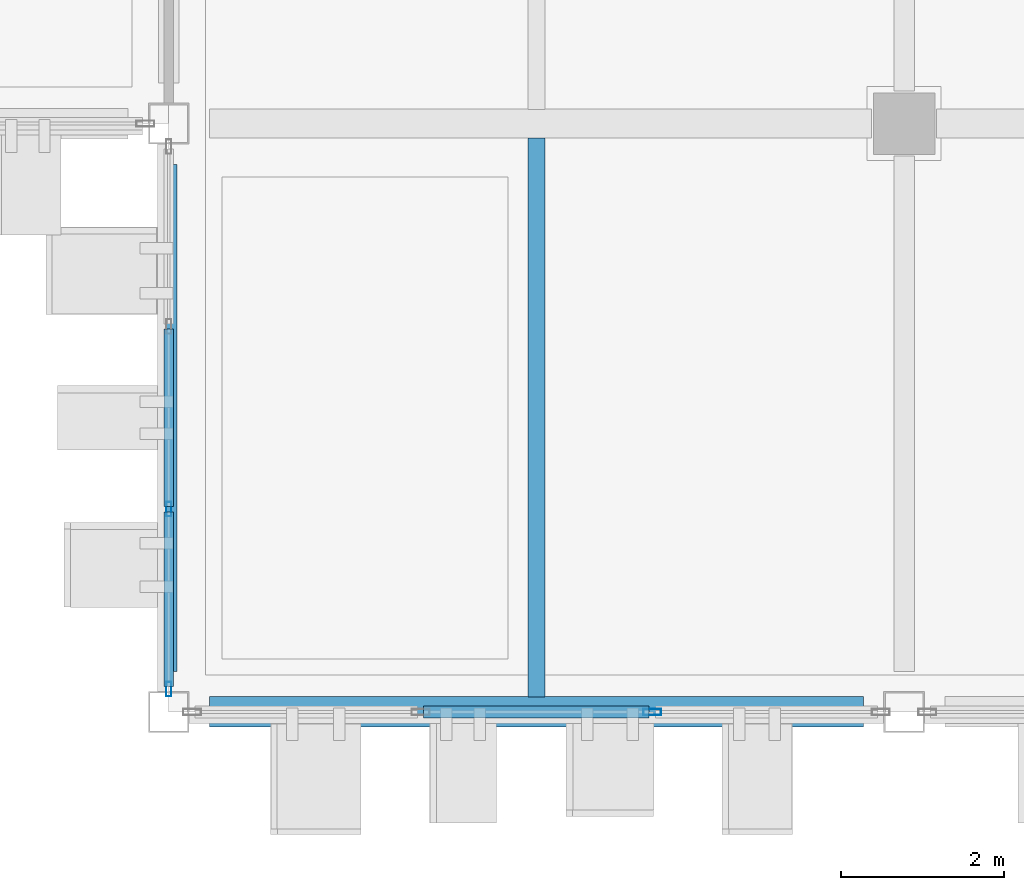
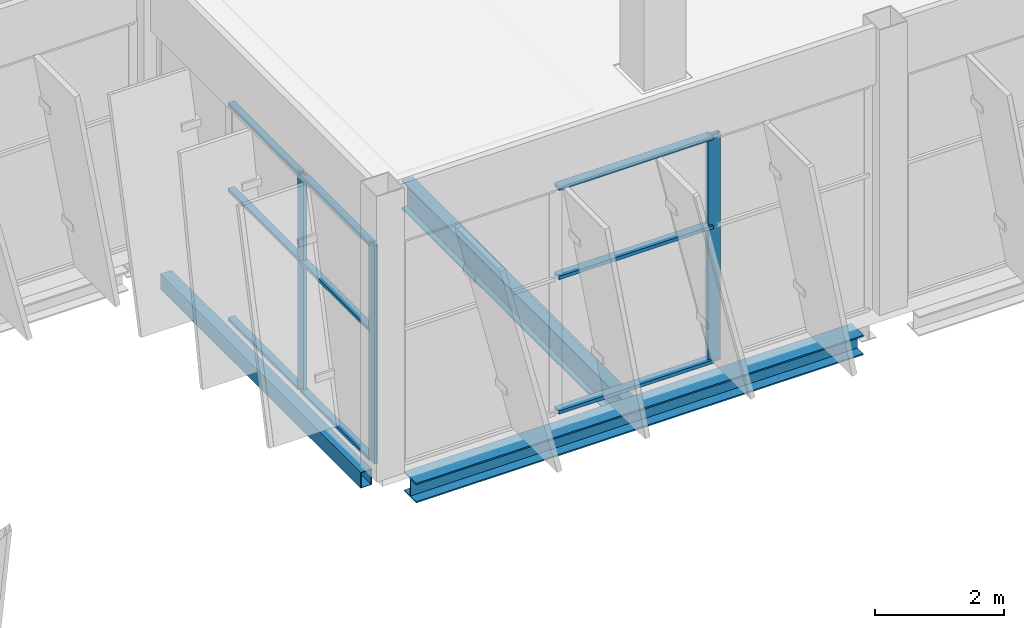
# One storey, part 62 of 137: 12 members, 3 beams, 2 elements without a shape of their own.
"""IFC4 building model written with IfcOpenShell, lengths in metres."""

from ifc_helpers import new_model, si_unit, direction, frame, origin, origin_2d, place, context, subcontext, project, spatial, hollow_rectangle, i_section, extrude, material, layer, layer_set, material_profile, profile_set, type_object, element, aggregate, save


model = new_model("IFC4")

# Units and contexts
model_context = context("Model", 3, precision=1e-05, world=origin(), true_north=direction((0.0, 1.0)))
body_context = subcontext(model_context, "Body", "Model", "MODEL_VIEW")
ifc_project = project(units=[si_unit("LENGTHUNIT", "METRE"), si_unit("AREAUNIT", "SQUARE_METRE"), si_unit("VOLUMEUNIT", "CUBIC_METRE"), si_unit("PLANEANGLEUNIT", "RADIAN"), si_unit("MASSUNIT", "GRAM", prefix="KILO")], contexts=[model_context])

# Site, building, storey
site_placement = place(None, origin())
site = spatial("IfcSite", under=ifc_project, at=site_placement, CompositionType="ELEMENT")
building_placement = place(site_placement, origin())
building = spatial("IfcBuilding", under=site, at=building_placement, Name="Celestram Park Convention Centre", CompositionType="ELEMENT")
storey_placement = place(building_placement, origin())
storey = spatial("IfcBuildingStorey", under=building, at=storey_placement, Name="L00", CompositionType="ELEMENT", Elevation=0.0)

# Curtain wall, members
ifc_material_1 = material(Name="Anodised Aluminium Alloy 6063-T6", Category="aluminium")
ifc_layer_1 = layer(ifc_material_1, 0.179931640625)
ifc_layer_set_1 = layer_set([ifc_layer_1], Name="Anodised Aluminium Alloy 6063-T6")
curtain_wall_type_1 = type_object("IfcCurtainWallType", Name="ARC-CW-670X412", PredefinedType="NOTDEFINED", material=ifc_layer_set_1)
curtain_wall_1_placement = place(storey_placement, origin())
curtain_wall_1 = element("IfcCurtainWall", 1, at=curtain_wall_1_placement, inside=storey, type_object=curtain_wall_type_1, Name="Unitised curtain wall CU-L00-004", PredefinedType="NOTDEFINED")
ifc_material_profile_1 = material_profile(ifc_material_1, hollow_rectangle(XDim=0.06494140625, YDim=0.179931640625, WallThickness=0.00390625, at=origin_2d()), Name="ALU65X180X4")
ifc_profile_set_1 = profile_set([ifc_material_profile_1], Name="Anodised Aluminium Alloy 6063-T6")
member_type_1 = type_object("IfcMemberType", Name="ARC-CWM-150", PredefinedType="MULLION", material=ifc_profile_set_1)
member_1_placement = place(storey_placement, frame((153.0, 115.48046875, 0.0), z_axis=(0.0, 0.0, 1.0), x_axis=(-1.0, 0.0, 0.0)))
member_1 = element("IfcMember", 2, at=member_1_placement, type_object=member_type_1, Name="CW-67X41 mullion 1", PredefinedType="MULLION", context=body_context, shape_type="SweptSolid", body=[
    extrude(hollow_rectangle(XDim=0.06494140625, YDim=0.179931640625, WallThickness=0.00390625, at=origin_2d()), origin(), (0.0, 0.0, 1.0), 4.1240234375),
])
member_2_placement = place(storey_placement, frame((153.0, 117.6826171875, 0.0), z_axis=(0.0, 0.0, 1.0), x_axis=(-1.0, 0.0, 0.0)))
member_2 = element("IfcMember", 3, at=member_2_placement, type_object=member_type_1, Name="CW-67X41 mullion 2", PredefinedType="MULLION", context=body_context, shape_type="SweptSolid", body=[
    extrude(hollow_rectangle(XDim=0.06494140625, YDim=0.179931640625, WallThickness=0.00390625, at=origin_2d()), origin(), (0.0, 0.0, 1.0), 4.1240234375),
])

# Curtain wall, member
ifc_layer_2 = layer(ifc_material_1, 0.179931640625)
ifc_layer_set_2 = layer_set([ifc_layer_2], Name="Anodised Aluminium Alloy 6063-T6")
curtain_wall_type_2 = type_object("IfcCurtainWallType", Name="ARC-CW-850X430", PredefinedType="NOTDEFINED", material=ifc_layer_set_2)
curtain_wall_2_placement = place(storey_placement, origin())
curtain_wall_2 = element("IfcCurtainWall", 4, at=curtain_wall_2_placement, inside=storey, type_object=curtain_wall_type_2, Name="Unitised curtain wall CU-L00-003", PredefinedType="NOTDEFINED")
ifc_material_profile_2 = material_profile(ifc_material_1, hollow_rectangle(XDim=0.074951171875, YDim=0.219970703125, WallThickness=0.00390625, at=origin_2d()), Name="ALU75X220X4")
ifc_profile_set_2 = profile_set([ifc_material_profile_2], Name="Anodised Aluminium Alloy 6063-T6")
member_type_2 = type_object("IfcMemberType", Name="ARC-CWM-180", PredefinedType="MULLION", material=ifc_profile_set_2)
member_3_placement = place(storey_placement, frame((158.917236328125, 115.199951171875, 0.0), z_axis=(0.0, 0.0, 1.0), x_axis=(0.0, -1.0, 0.0)))
member_3 = element("IfcMember", 5, at=member_3_placement, type_object=member_type_2, Name="CW-85X43 mullion 2", PredefinedType="MULLION", context=body_context, shape_type="SweptSolid", body=[
    extrude(hollow_rectangle(XDim=0.074951171875, YDim=0.219970703125, WallThickness=0.00390625, at=origin_2d()), origin(), (0.0, 0.0, 1.0), 4.297119140625),
])

# Member
ifc_material_profile_3 = material_profile(ifc_material_1, hollow_rectangle(XDim=0.1201171875, YDim=0.06005859375, WallThickness=0.0029296875, at=origin_2d()), Name="ALU120X60X3")
ifc_profile_set_3 = profile_set([ifc_material_profile_3], Name="Anodised Aluminium Alloy 6063-T6")
member_type_3 = type_object("IfcMemberType", Name="ARC-CWT-120", PredefinedType="USERDEFINED", material=ifc_profile_set_3)
member_4_placement = place(storey_placement, frame((153.0, 115.512939453125, 0.030029296875), z_axis=(0.0, 1.0, 0.0), x_axis=(-1.0, 0.0, 0.0)))
member_4 = element("IfcMember", 6, at=member_4_placement, type_object=member_type_3, Name="CW-67X41 transom 1.1", ObjectType="TRANSOM", PredefinedType="USERDEFINED", context=body_context, shape_type="SweptSolid", body=[
    extrude(hollow_rectangle(XDim=0.1201171875, YDim=0.06005859375, WallThickness=0.0029296875, at=origin_2d()), origin(), (0.0, 0.0, 1.0), 2.13720703125),
])

member_5_placement = place(storey_placement, frame((153.0, 115.512939453125, 2.47412109375), z_axis=(0.0, 1.0, 0.0), x_axis=(-1.0, 0.0, 0.0)))
member_5 = element("IfcMember", 7, at=member_5_placement, type_object=member_type_3, Name="CW-67X41 transom 1.2", ObjectType="TRANSOM", PredefinedType="USERDEFINED", context=body_context, shape_type="SweptSolid", body=[
    extrude(hollow_rectangle(XDim=0.1201171875, YDim=0.06005859375, WallThickness=0.0029296875, at=origin_2d()), origin(), (0.0, 0.0, 1.0), 2.13720703125),
])

member_6_placement = place(storey_placement, frame((153.0, 115.512939453125, 4.093994140625), z_axis=(0.0, 1.0, 0.0), x_axis=(-1.0, 0.0, 0.0)))
member_6 = element("IfcMember", 8, at=member_6_placement, type_object=member_type_3, Name="CW-67X41 transom 1.3", ObjectType="TRANSOM", PredefinedType="USERDEFINED", context=body_context, shape_type="SweptSolid", body=[
    extrude(hollow_rectangle(XDim=0.1201171875, YDim=0.06005859375, WallThickness=0.0029296875, at=origin_2d()), origin(), (0.0, 0.0, 1.0), 2.13720703125),
])

member_7_placement = place(storey_placement, frame((153.0, 117.715087890625, 0.030029296875), z_axis=(0.0, 1.0, 0.0), x_axis=(-1.0, 0.0, 0.0)))
member_7 = element("IfcMember", 9, at=member_7_placement, type_object=member_type_3, Name="CW-67X41 transom 2.1", ObjectType="TRANSOM", PredefinedType="USERDEFINED", context=body_context, shape_type="SweptSolid", body=[
    extrude(hollow_rectangle(XDim=0.1201171875, YDim=0.06005859375, WallThickness=0.0029296875, at=origin_2d()), origin(), (0.0, 0.0, 1.0), 2.169677734375),
])

member_8_placement = place(storey_placement, frame((153.0, 117.715087890625, 2.47412109375), z_axis=(0.0, 1.0, 0.0), x_axis=(-1.0, 0.0, 0.0)))
member_8 = element("IfcMember", 10, at=member_8_placement, type_object=member_type_3, Name="CW-67X41 transom 2.2", ObjectType="TRANSOM", PredefinedType="USERDEFINED", context=body_context, shape_type="SweptSolid", body=[
    extrude(hollow_rectangle(XDim=0.1201171875, YDim=0.06005859375, WallThickness=0.0029296875, at=origin_2d()), origin(), (0.0, 0.0, 1.0), 2.169677734375),
])

member_9_placement = place(storey_placement, frame((153.0, 117.715087890625, 4.093994140625), z_axis=(0.0, 1.0, 0.0), x_axis=(-1.0, 0.0, 0.0)))
member_9 = element("IfcMember", 11, at=member_9_placement, type_object=member_type_3, Name="CW-67X41 transom 2.3", ObjectType="TRANSOM", PredefinedType="USERDEFINED", context=body_context, shape_type="SweptSolid", body=[
    extrude(hollow_rectangle(XDim=0.1201171875, YDim=0.06005859375, WallThickness=0.0029296875, at=origin_2d()), origin(), (0.0, 0.0, 1.0), 2.169677734375),
])

aggregate(curtain_wall_1, [member_1, member_2, member_4, member_5, member_6, member_7, member_8, member_9])

ifc_material_profile_4 = material_profile(ifc_material_1, hollow_rectangle(XDim=0.14990234375, YDim=0.06494140625, WallThickness=0.0029296875, at=origin_2d()), Name="ALU150X65X3")
ifc_profile_set_4 = profile_set([ifc_material_profile_4], Name="Anodised Aluminium Alloy 6063-T6")
member_type_4 = type_object("IfcMemberType", Name="ARC-CWT-150", PredefinedType="USERDEFINED", material=ifc_profile_set_4)
member_10_placement = place(storey_placement, frame((158.8798828125, 115.199951171875, 0.032470703125), z_axis=(-1.0, 0.0, 0.0), x_axis=(0.0, -1.0, 0.0)))
member_10 = element("IfcMember", 12, at=member_10_placement, type_object=member_type_4, Name="CW-85X43 transom 2.1", ObjectType="TRANSOM", PredefinedType="USERDEFINED", context=body_context, shape_type="SweptSolid", body=[
    extrude(hollow_rectangle(XDim=0.14990234375, YDim=0.06494140625, WallThickness=0.0029296875, at=origin_2d()), origin(), (0.0, 0.0, 1.0), 2.759765625),
])

member_11_placement = place(storey_placement, frame((158.8798828125, 115.199951171875, 2.577880859375), z_axis=(-1.0, 0.0, 0.0), x_axis=(0.0, -1.0, 0.0)))
member_11 = element("IfcMember", 13, at=member_11_placement, type_object=member_type_4, Name="CW-85X43 transom 2.2", ObjectType="TRANSOM", PredefinedType="USERDEFINED", context=body_context, shape_type="SweptSolid", body=[
    extrude(hollow_rectangle(XDim=0.14990234375, YDim=0.06494140625, WallThickness=0.0029296875, at=origin_2d()), origin(), (0.0, 0.0, 1.0), 2.759765625),
])

member_12_placement = place(storey_placement, frame((158.8798828125, 115.199951171875, 4.264404296875), z_axis=(-1.0, 0.0, 0.0), x_axis=(0.0, -1.0, 0.0)))
member_12 = element("IfcMember", 14, at=member_12_placement, type_object=member_type_4, Name="CW-85X43 transom 2.3", ObjectType="TRANSOM", PredefinedType="USERDEFINED", context=body_context, shape_type="SweptSolid", body=[
    extrude(hollow_rectangle(XDim=0.14990234375, YDim=0.06494140625, WallThickness=0.0029296875, at=origin_2d()), origin(), (0.0, 0.0, 1.0), 2.759765625),
])

aggregate(curtain_wall_2, [member_3, member_10, member_11, member_12])

# Beams
ifc_material_2 = material(Name="Steel ASTM A992 Grade 50", Category="steel")
ifc_material_profile_5 = material_profile(ifc_material_2, i_section(OverallWidth=0.2099609375, OverallDepth=0.532958984375, WebThickness=0.01025390625, FlangeThickness=0.015625, at=origin_2d()), Name="W21X62")
ifc_profile_set_5 = profile_set([ifc_material_profile_5], Name="Steel ASTM A992 Grade 50")
beam_type_1 = type_object("IfcBeamType", Name="STR-JST-W21X62", PredefinedType="JOIST", material=ifc_profile_set_5)
beam_1_placement = place(storey_placement, frame((157.5, 115.382080078125, -0.58642578125), z_axis=(0.0, 1.0, 0.0), x_axis=(-1.0, 0.0, 0.0)))
element("IfcBeam", 15, at=beam_1_placement, inside=storey, type_object=beam_type_1, Name="Secondary composite joist BG-L00-1177", PredefinedType="JOIST", context=body_context, shape_type="SweptSolid", body=[
    extrude(i_section(OverallWidth=0.2099609375, OverallDepth=0.532958984375, WebThickness=0.01025390625, FlangeThickness=0.015625, at=origin_2d()), origin(), (0.0, 0.0, 1.0), 6.843994140625),
])
ifc_material_3 = material(Name="Steel ASTM A500 Grade C", Category="steel")
ifc_material_profile_6 = material_profile(ifc_material_3, hollow_rectangle(XDim=0.199951171875, YDim=0.300048828125, WallThickness=0.011962890625, at=origin_2d()), Name="HSS300X200X12")
ifc_profile_set_6 = profile_set([ifc_material_profile_6], Name="Steel ASTM A500 Grade C")
beam_type_2 = type_object("IfcBeamType", Name="STR-SPN-HSS300X200", PredefinedType="SPANDREL", material=ifc_profile_set_6)
beam_2_placement = place(storey_placement, frame((153.0, 115.697998046875, -0.469970703125), z_axis=(0.0, 1.0, 0.0), x_axis=(-1.0, 0.0, 0.0)))
element("IfcBeam", 16, at=beam_2_placement, inside=storey, type_object=beam_type_2, Name="Primary Y-girder BG-L00-0703", PredefinedType="SPANDREL", context=body_context, shape_type="SweptSolid", body=[
    extrude(hollow_rectangle(XDim=0.199951171875, YDim=0.300048828125, WallThickness=0.011962890625, at=origin_2d()), origin(), (0.0, 0.0, 1.0), 6.2041015625),
])
ifc_material_profile_7 = material_profile(ifc_material_2, i_section(OverallWidth=0.373046875, OverallDepth=0.373046875, WebThickness=0.016357421875, FlangeThickness=0.026123046875, at=origin_2d()), Name="W14X132")
ifc_profile_set_7 = profile_set([ifc_material_profile_7], Name="Steel ASTM A992 Grade 50")
beam_type_3 = type_object("IfcBeamType", Name="STR-SPN-W14X132", PredefinedType="SPANDREL", material=ifc_profile_set_7)
beam_3_placement = place(storey_placement, frame((153.498046875, 115.199951171875, -0.506591796875), z_axis=(1.0, 0.0, 0.0), x_axis=(0.0, 1.0, 0.0)))
element("IfcBeam", 17, at=beam_3_placement, inside=storey, type_object=beam_type_3, Name="Primary X-girder BG-L00-0702", PredefinedType="SPANDREL", context=body_context, shape_type="SweptSolid", body=[
    extrude(i_section(OverallWidth=0.373046875, OverallDepth=0.373046875, WebThickness=0.016357421875, FlangeThickness=0.026123046875, at=origin_2d()), origin(), (0.0, 0.0, 1.0), 8.00390625),
])

save(model, "model.ifc")
